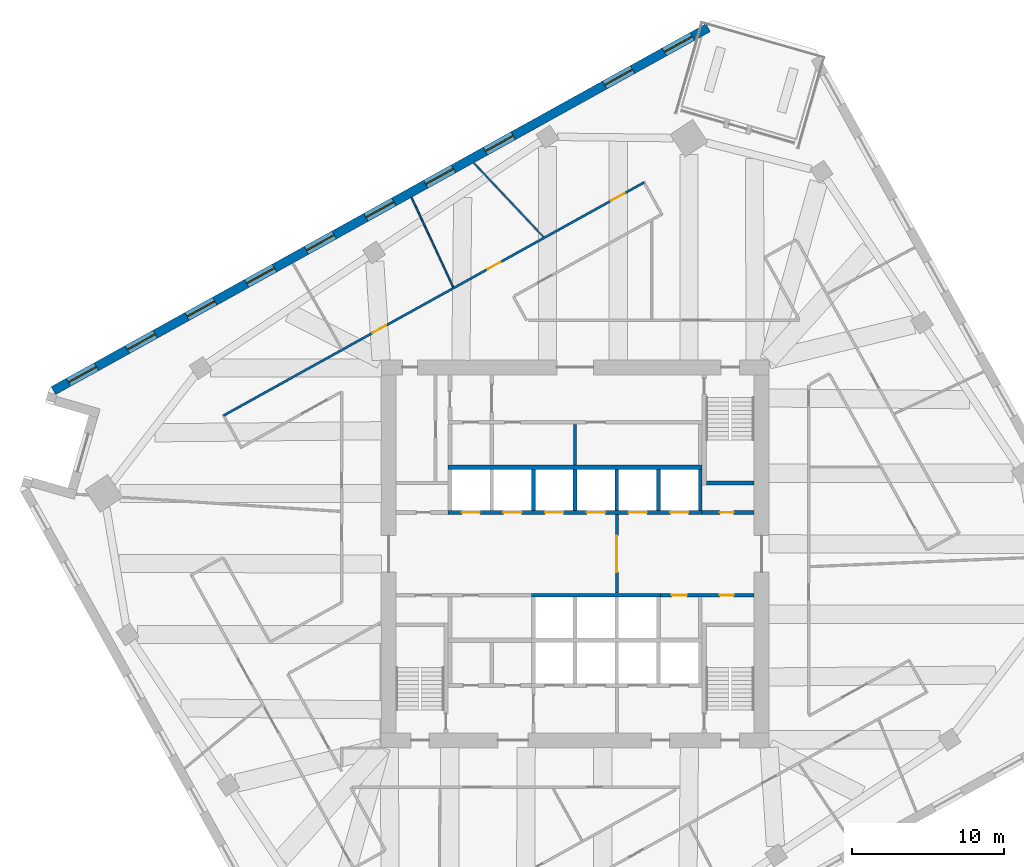
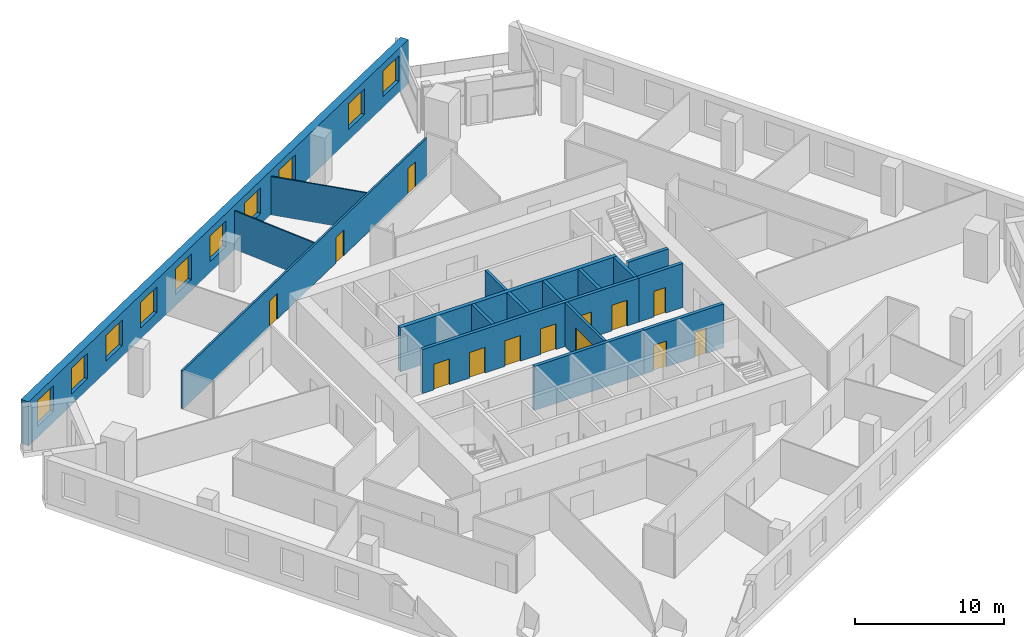
# One storey, part 8 of 12: 17 walls, 13 doors, 10 windows, 23 openings.
"""IFC4 building model written with IfcOpenShell, lengths in metres."""

from ifc_helpers import new_model, si_unit, direction, frame, frame_2d, origin, place, context, subcontext, project, spatial, rectangle, extrude, material, layer, layer_set, type_object, element, fill, save


model = new_model("IFC4")

# Units and contexts
model_context = context("Model", 3, precision=1e-05, world=origin(), true_north=direction((0.0, 1.0)))
body_context = subcontext(model_context, "Body", "Model", "MODEL_VIEW")
ifc_project = project(units=[si_unit("LENGTHUNIT", "METRE"), si_unit("AREAUNIT", "SQUARE_METRE"), si_unit("VOLUMEUNIT", "CUBIC_METRE"), si_unit("PLANEANGLEUNIT", "RADIAN"), si_unit("MASSUNIT", "GRAM", prefix="KILO")], contexts=[model_context])

# Site, building, storey
site_placement = place(None, origin())
site = spatial("IfcSite", under=ifc_project, at=site_placement, CompositionType="ELEMENT")
building_placement = place(site_placement, origin())
building = spatial("IfcBuilding", under=site, at=building_placement, Name="Dilmun Exchange Tower", CompositionType="ELEMENT")
storey_placement = place(building_placement, frame((0.0, 0.0, 143.699951171875)))
storey = spatial("IfcBuildingStorey", under=building, at=storey_placement, Name="L33", CompositionType="ELEMENT", Elevation=143.699951171875)

# Wall, opening, door
ifc_material_1 = material(Name="Concrete C40/50", Category="concrete")
ifc_layer_1 = layer(ifc_material_1, 0.199951171875)
ifc_layer_set_1 = layer_set([ifc_layer_1], Name="Concrete C40/50")
wall_type_1 = type_object("IfcWallType", Name="Core partition wall 200", PredefinedType="PARTITIONING", material=ifc_layer_set_1)
wall_1_placement = place(storey_placement, frame((2.75, -2.594970703125, 0.0), z_axis=(0.0, 0.0, 1.0), x_axis=(0.0, 1.0, 0.0)))
wall_1 = element("IfcWall", 1, at=wall_1_placement, inside=storey, type_object=wall_type_1, Name="L33 core partition wall 11", PredefinedType="PARTITIONING", context=body_context, shape_type="SweptSolid", body=[
    extrude(rectangle(XDim=5.18994140625, YDim=0.199951171875, at=frame_2d((2.594970703125, 0.0))), origin(), (0.0, 0.0, 1.0), 3.60009765625),
])
opening_1_placement = place(wall_1_placement, frame((1.39501953125, 0.0, 0.0)))
opening_1 = element("IfcOpeningElement", 2, at=opening_1_placement, cuts=wall_1, Name="Opening CD1", PredefinedType="OPENING", context=body_context, shape_type="SweptSolid", body=[
    extrude(rectangle(XDim=2.39990234375, YDim=2.39990234375, at=frame_2d((1.199951171875, 1.199951171875))), frame((0.0, 0.10986328125, 0.0), z_axis=(0.0, -1.0, 0.0), x_axis=(1.0, 0.0, 0.0)), (0.0, 0.0, 1.0), 0.219970703125),
])
ifc_material_2 = material(Name="Fire-rated steel door set", Category="steel")
door_type_1 = type_object("IfcDoorType", Name="Core lobby door 2400x2400", OperationType="DOUBLE_DOOR_DOUBLE_SWING", PredefinedType="DOOR", material=ifc_material_2)
door_1_placement = place(opening_1_placement, origin())
door_1 = element("IfcDoor", 3, at=door_1_placement, inside=storey, type_object=door_type_1, Name="L33 door Lift lobby east", OperationType="DOUBLE_DOOR_DOUBLE_SWING", OverallHeight=2.39990234375, OverallWidth=2.39990234375, PredefinedType="DOOR", context=body_context, shape_type="SweptSolid", body=[
    extrude(rectangle(XDim=2.39990234375, YDim=2.39990234375, at=frame_2d((1.199951171875, 1.199951171875))), frame((0.0, 0.02490234375, 0.0), z_axis=(0.0, -1.0, 0.0), x_axis=(1.0, 0.0, 0.0)), (0.0, 0.0, 1.0), 0.050048828125),
])
fill(opening_1, door_1)

# Wall
wall_2_placement = place(storey_placement, frame((0.0, 5.85498046875, 0.0), z_axis=(0.0, 0.0, 1.0), x_axis=(0.0, 1.0, 0.0)))
element("IfcWall", 4, at=wall_2_placement, inside=storey, type_object=wall_type_1, Name="L33 core partition wall 18", PredefinedType="PARTITIONING", context=body_context, shape_type="SweptSolid", body=[
    extrude(rectangle(XDim=2.68994140625, YDim=0.199951171875, at=frame_2d((1.344970703125, 0.0))), origin(), (0.0, 0.0, 1.0), 3.60009765625),
])

# Wall, openings, doors
ifc_layer_2 = layer(ifc_material_1, 0.25)
ifc_layer_set_2 = layer_set([ifc_layer_2], Name="Concrete C40/50")
wall_type_2 = type_object("IfcWallType", Name="Core partition wall 250", PredefinedType="PARTITIONING", material=ifc_layer_set_2)
wall_3_placement = place(storey_placement, frame((5.6298828125, -2.72509765625, 0.0), z_axis=(0.0, 0.0, 1.0), x_axis=(1.0, 0.0, 0.0)))
wall_3 = element("IfcWall", 5, at=wall_3_placement, inside=storey, type_object=wall_type_2, Name="L33 core partition wall 10", PredefinedType="PARTITIONING", context=body_context, shape_type="SweptSolid", body=[
    extrude(rectangle(XDim=6.1650390625, YDim=0.25, at=frame_2d((3.08251953125, 0.0))), origin(), (0.0, 0.0, 1.0), 3.60009765625),
])
opening_2_placement = place(wall_3_placement, frame((0.7451171875, 0.0, 0.0)))
opening_2 = element("IfcOpeningElement", 6, at=opening_2_placement, cuts=wall_3, Name="Opening CD4", PredefinedType="OPENING", context=body_context, shape_type="SweptSolid", body=[
    extrude(rectangle(XDim=1.0, YDim=2.10009765625, at=frame_2d((0.5, 1.050048828125))), frame((0.0, 0.135009765625, 0.0), z_axis=(0.0, -1.0, 0.0), x_axis=(1.0, 0.0, 0.0)), (0.0, 0.0, 1.0), 0.27001953125),
])
opening_3_placement = place(wall_3_placement, frame((3.919921875, 0.0, 0.0)))
opening_3 = element("IfcOpeningElement", 7, at=opening_3_placement, cuts=wall_3, Name="Opening CD6", PredefinedType="OPENING", context=body_context, shape_type="SweptSolid", body=[
    extrude(rectangle(XDim=0.89990234375, YDim=2.10009765625, at=frame_2d((0.449951171875, 1.050048828125))), frame((0.0, 0.135009765625, 0.0), z_axis=(0.0, -1.0, 0.0), x_axis=(1.0, 0.0, 0.0)), (0.0, 0.0, 1.0), 0.27001953125),
])
door_type_2 = type_object("IfcDoorType", Name="Core room door 1000x2100", OperationType="SINGLE_SWING_LEFT", PredefinedType="DOOR", material=ifc_material_2)
door_2_placement = place(opening_2_placement, origin())
door_2 = element("IfcDoor", 8, at=door_2_placement, inside=storey, type_object=door_type_2, Name="L33 door Cleaners' store", OperationType="SINGLE_SWING_RIGHT", OverallHeight=2.10009765625, OverallWidth=1.0, PredefinedType="DOOR", context=body_context, shape_type="SweptSolid", body=[
    extrude(rectangle(XDim=1.0, YDim=2.10009765625, at=frame_2d((0.5, 1.050048828125))), frame((0.0, 0.02490234375, 0.0), z_axis=(0.0, -1.0, 0.0), x_axis=(1.0, 0.0, 0.0)), (0.0, 0.0, 1.0), 0.050048828125),
])
fill(opening_2, door_2)
door_type_3 = type_object("IfcDoorType", Name="Core room door 900x2100", OperationType="SINGLE_SWING_LEFT", PredefinedType="DOOR", material=ifc_material_2)
door_3_placement = place(opening_3_placement, origin())
door_3 = element("IfcDoor", 9, at=door_3_placement, inside=storey, type_object=door_type_3, Name="L33 door Comms riser", OperationType="SINGLE_SWING_RIGHT", OverallHeight=2.10009765625, OverallWidth=0.89990234375, PredefinedType="DOOR", context=body_context, shape_type="SweptSolid", body=[
    extrude(rectangle(XDim=0.89990234375, YDim=2.10009765625, at=frame_2d((0.449951171875, 1.050048828125))), frame((0.0, 0.02490234375, 0.0), z_axis=(0.0, -1.0, 0.0), x_axis=(1.0, 0.0, 0.0)), (0.0, 0.0, 1.0), 0.050048828125),
])
fill(opening_3, door_3)

# Wall, opening, door
wall_4_placement = place(storey_placement, frame((8.3798828125, 2.72509765625, 0.0), z_axis=(0.0, 0.0, 1.0), x_axis=(1.0, 0.0, 0.0)))
wall_4 = element("IfcWall", 10, at=wall_4_placement, inside=storey, type_object=wall_type_2, Name="L33 core partition wall 13", PredefinedType="PARTITIONING", context=body_context, shape_type="SweptSolid", body=[
    extrude(rectangle(XDim=3.4150390625, YDim=0.25, at=frame_2d((1.70751953125, 0.0))), origin(), (0.0, 0.0, 1.0), 3.60009765625),
])
opening_4_placement = place(wall_4_placement, frame((1.169921875, 0.0, 0.0)))
opening_4 = element("IfcOpeningElement", 11, at=opening_4_placement, cuts=wall_4, Name="Opening CD6", PredefinedType="OPENING", context=body_context, shape_type="SweptSolid", body=[
    extrude(rectangle(XDim=0.89990234375, YDim=2.10009765625, at=frame_2d((0.449951171875, 1.050048828125))), frame((0.0, 0.135009765625, 0.0), z_axis=(0.0, -1.0, 0.0), x_axis=(1.0, 0.0, 0.0)), (0.0, 0.0, 1.0), 0.27001953125),
])
door_4_placement = place(opening_4_placement, origin())
door_4 = element("IfcDoor", 12, at=door_4_placement, inside=storey, type_object=door_type_3, Name="L33 door Electrical riser", OperationType="SINGLE_SWING_RIGHT", OverallHeight=2.10009765625, OverallWidth=0.89990234375, PredefinedType="DOOR", context=body_context, shape_type="SweptSolid", body=[
    extrude(rectangle(XDim=0.89990234375, YDim=2.10009765625, at=frame_2d((0.449951171875, 1.050048828125))), frame((0.0, 0.02490234375, 0.0), z_axis=(0.0, -1.0, 0.0), x_axis=(1.0, 0.0, 0.0)), (0.0, 0.0, 1.0), 0.050048828125),
])
fill(opening_4, door_4)

# Wall, openings, doors
ifc_material_3 = material(Name="Corridor wall 150")
ifc_layer_3 = layer(ifc_material_3, 0.14990234375)
ifc_layer_set_3 = layer_set([ifc_layer_3], Name="Corridor wall 150")
wall_type_3 = type_object("IfcWallType", Name="Corridor wall 150", PredefinedType="PARTITIONING", material=ifc_layer_set_3)
wall_5_placement = place(storey_placement, frame((-23.18701171875, 9.123046875, 0.0), z_axis=(0.0, 0.0, 1.0), x_axis=(0.874618419846, 0.484811942578, 0.0)))
wall_5 = element("IfcWall", 13, at=wall_5_placement, inside=storey, type_object=wall_type_3, Name="Corridor wall", PredefinedType="PARTITIONING", context=body_context, shape_type="SweptSolid", body=[
    extrude(rectangle(XDim=31.71337890625, YDim=0.14990234375, at=frame_2d((15.856689453125, 0.0))), origin(), (0.0, 0.0, 1.0), 3.150146484375),
])
opening_5_placement = place(wall_5_placement, frame((11.25244140625, 0.0, 0.0)))
opening_5 = element("IfcOpeningElement", 14, at=opening_5_placement, cuts=wall_5, Name="Opening TF31-D08", PredefinedType="OPENING", context=body_context, shape_type="SweptSolid", body=[
    extrude(rectangle(XDim=1.0, YDim=2.10009765625, at=frame_2d((0.5, 1.050048828125))), frame((0.0, 0.0849609375, 0.0), z_axis=(0.0, -1.0, 0.0), x_axis=(1.0, 0.0, 0.0)), (0.0, 0.0, 1.0), 0.169921875),
])
opening_6_placement = place(wall_5_placement, frame((19.8955078125, 0.0, 0.0)))
opening_6 = element("IfcOpeningElement", 15, at=opening_6_placement, cuts=wall_5, Name="Opening TF31-D09", PredefinedType="OPENING", context=body_context, shape_type="SweptSolid", body=[
    extrude(rectangle(XDim=1.0, YDim=2.10009765625, at=frame_2d((0.5, 1.050048828125))), frame((0.0, 0.0849609375, 0.0), z_axis=(0.0, -1.0, 0.0), x_axis=(1.0, 0.0, 0.0)), (0.0, 0.0, 1.0), 0.169921875),
])
opening_7_placement = place(wall_5_placement, frame((29.222900390625, 0.0, 0.0)))
opening_7 = element("IfcOpeningElement", 16, at=opening_7_placement, cuts=wall_5, Name="Opening TF31-D16", PredefinedType="OPENING", context=body_context, shape_type="SweptSolid", body=[
    extrude(rectangle(XDim=1.0, YDim=2.10009765625, at=frame_2d((0.5, 1.050048828125))), frame((0.0, 0.0849609375, 0.0), z_axis=(0.0, -1.0, 0.0), x_axis=(1.0, 0.0, 0.0)), (0.0, 0.0, 1.0), 0.169921875),
])
ifc_material_4 = material(Name="Fire door 1000 x 2100")
door_type_4 = type_object("IfcDoorType", Name="Fire door 1000 x 2100", OperationType="NOTDEFINED", PredefinedType="DOOR", material=ifc_material_4)
door_5_placement = place(opening_5_placement, origin())
door_5 = element("IfcDoor", 17, at=door_5_placement, inside=storey, type_object=door_type_4, Name="Door TF31-D08", OperationType="SINGLE_SWING_RIGHT", OverallHeight=2.10009765625, OverallWidth=1.0, PredefinedType="DOOR", context=body_context, shape_type="SweptSolid", body=[
    extrude(rectangle(XDim=1.0, YDim=2.10009765625, at=frame_2d((0.5, 1.050048828125))), frame((0.0, 0.02490234375, 0.0), z_axis=(0.0, -1.0, 0.0), x_axis=(1.0, 0.0, 0.0)), (0.0, 0.0, 1.0), 0.050048828125),
])
fill(opening_5, door_5)
door_6_placement = place(opening_6_placement, origin())
door_6 = element("IfcDoor", 18, at=door_6_placement, inside=storey, type_object=door_type_4, Name="Door TF31-D09", OperationType="SINGLE_SWING_LEFT", OverallHeight=2.10009765625, OverallWidth=1.0, PredefinedType="DOOR", context=body_context, shape_type="SweptSolid", body=[
    extrude(rectangle(XDim=1.0, YDim=2.10009765625, at=frame_2d((0.5, 1.050048828125))), frame((0.0, 0.02490234375, 0.0), z_axis=(0.0, -1.0, 0.0), x_axis=(1.0, 0.0, 0.0)), (0.0, 0.0, 1.0), 0.050048828125),
])
fill(opening_6, door_6)
door_7_placement = place(opening_7_placement, origin())
door_7 = element("IfcDoor", 19, at=door_7_placement, inside=storey, type_object=door_type_4, Name="Door TF31-D16", OperationType="SINGLE_SWING_LEFT", OverallHeight=2.10009765625, OverallWidth=1.0, PredefinedType="DOOR", context=body_context, shape_type="SweptSolid", body=[
    extrude(rectangle(XDim=1.0, YDim=2.10009765625, at=frame_2d((0.5, 1.050048828125))), frame((0.0, 0.02490234375, 0.0), z_axis=(0.0, -1.0, 0.0), x_axis=(1.0, 0.0, 0.0)), (0.0, 0.0, 1.0), 0.050048828125),
])
fill(opening_7, door_7)

# Wall
ifc_layer_4 = layer(ifc_material_1, 0.300048828125)
ifc_layer_set_4 = layer_set([ifc_layer_4], Name="Concrete C40/50")
wall_type_4 = type_object("IfcWallType", Name="Lift shaft shared wall 300", PredefinedType="SOLIDWALL", material=ifc_layer_set_4)
wall_6_placement = place(storey_placement, frame((-8.375, 5.699951171875, 0.0), z_axis=(0.0, 0.0, 1.0), x_axis=(1.0, 0.0, 0.0)))
element("IfcWall", 20, at=wall_6_placement, inside=storey, type_object=wall_type_4, Name="L33 lift shaft rear wall N", PredefinedType="SOLIDWALL", context=body_context, shape_type="SweptSolid", body=[
    extrude(rectangle(XDim=16.75, YDim=0.300048828125, at=frame_2d((8.375, 0.0))), origin(), (0.0, 0.0, 1.0), 3.60009765625),
])

# Wall, openings, doors
ifc_layer_5 = layer(ifc_material_1, 0.25)
ifc_layer_set_5 = layer_set([ifc_layer_5], Name="Concrete C40/50")
wall_type_5 = type_object("IfcWallType", Name="Lift shaft wall 250", PredefinedType="SOLIDWALL", material=ifc_layer_set_5)
wall_7_placement = place(storey_placement, frame((-8.375, 2.72509765625, 0.0), z_axis=(0.0, 0.0, 1.0), x_axis=(1.0, 0.0, 0.0)))
wall_7 = element("IfcWall", 21, at=wall_7_placement, inside=storey, type_object=wall_type_5, Name="L33 lift shaft front wall N1", PredefinedType="SOLIDWALL", context=body_context, shape_type="SweptSolid", body=[
    extrude(rectangle(XDim=16.75, YDim=0.25, at=frame_2d((8.375, 0.0))), origin(), (0.0, 0.0, 1.0), 3.60009765625),
])
opening_8_placement = place(wall_7_placement, frame((0.89990234375, 0.0, 0.0)))
opening_8 = element("IfcOpeningElement", 22, at=opening_8_placement, cuts=wall_7, Name="Opening LD", PredefinedType="OPENING", context=body_context, shape_type="SweptSolid", body=[
    extrude(rectangle(XDim=1.199951171875, YDim=2.10009765625, at=frame_2d((0.60009765625, 1.050048828125))), frame((0.0, 0.135009765625, 0.0), z_axis=(0.0, -1.0, 0.0), x_axis=(1.0, 0.0, 0.0)), (0.0, 0.0, 1.0), 0.27001953125),
])
opening_9_placement = place(wall_7_placement, frame((3.64990234375, 0.0, 0.0)))
opening_9 = element("IfcOpeningElement", 23, at=opening_9_placement, cuts=wall_7, Name="Opening LD", PredefinedType="OPENING", context=body_context, shape_type="SweptSolid", body=[
    extrude(rectangle(XDim=1.199951171875, YDim=2.10009765625, at=frame_2d((0.60009765625, 1.050048828125))), frame((0.0, 0.135009765625, 0.0), z_axis=(0.0, -1.0, 0.0), x_axis=(1.0, 0.0, 0.0)), (0.0, 0.0, 1.0), 0.27001953125),
])
opening_10_placement = place(wall_7_placement, frame((6.39990234375, 0.0, 0.0)))
opening_10 = element("IfcOpeningElement", 24, at=opening_10_placement, cuts=wall_7, Name="Opening LD", PredefinedType="OPENING", context=body_context, shape_type="SweptSolid", body=[
    extrude(rectangle(XDim=1.199951171875, YDim=2.10009765625, at=frame_2d((0.60009765625, 1.050048828125))), frame((0.0, 0.135009765625, 0.0), z_axis=(0.0, -1.0, 0.0), x_axis=(1.0, 0.0, 0.0)), (0.0, 0.0, 1.0), 0.27001953125),
])
opening_11_placement = place(wall_7_placement, frame((9.14990234375, 0.0, 0.0)))
opening_11 = element("IfcOpeningElement", 25, at=opening_11_placement, cuts=wall_7, Name="Opening LD", PredefinedType="OPENING", context=body_context, shape_type="SweptSolid", body=[
    extrude(rectangle(XDim=1.199951171875, YDim=2.10009765625, at=frame_2d((0.60009765625, 1.050048828125))), frame((0.0, 0.135009765625, 0.0), z_axis=(0.0, -1.0, 0.0), x_axis=(1.0, 0.0, 0.0)), (0.0, 0.0, 1.0), 0.27001953125),
])
opening_12_placement = place(wall_7_placement, frame((11.89990234375, 0.0, 0.0)))
opening_12 = element("IfcOpeningElement", 26, at=opening_12_placement, cuts=wall_7, Name="Opening LD", PredefinedType="OPENING", context=body_context, shape_type="SweptSolid", body=[
    extrude(rectangle(XDim=1.199951171875, YDim=2.10009765625, at=frame_2d((0.60009765625, 1.050048828125))), frame((0.0, 0.135009765625, 0.0), z_axis=(0.0, -1.0, 0.0), x_axis=(1.0, 0.0, 0.0)), (0.0, 0.0, 1.0), 0.27001953125),
])
opening_13_placement = place(wall_7_placement, frame((14.64990234375, 0.0, 0.0)))
opening_13 = element("IfcOpeningElement", 27, at=opening_13_placement, cuts=wall_7, Name="Opening LD", PredefinedType="OPENING", context=body_context, shape_type="SweptSolid", body=[
    extrude(rectangle(XDim=1.199951171875, YDim=2.10009765625, at=frame_2d((0.60009765625, 1.050048828125))), frame((0.0, 0.135009765625, 0.0), z_axis=(0.0, -1.0, 0.0), x_axis=(1.0, 0.0, 0.0)), (0.0, 0.0, 1.0), 0.27001953125),
])
door_type_5 = type_object("IfcDoorType", Name="Lift landing door 1200x2100", OperationType="DOUBLE_DOOR_SLIDING", PredefinedType="DOOR", material=ifc_material_2)
door_8_placement = place(opening_8_placement, origin())
door_8 = element("IfcDoor", 28, at=door_8_placement, inside=storey, type_object=door_type_5, Name="L33 landing door MR1", OperationType="DOUBLE_DOOR_SLIDING", OverallHeight=2.10009765625, OverallWidth=1.199951171875, PredefinedType="DOOR", context=body_context, shape_type="SweptSolid", body=[
    extrude(rectangle(XDim=1.199951171875, YDim=2.10009765625, at=frame_2d((0.60009765625, 1.050048828125))), frame((0.0, 0.02490234375, 0.0), z_axis=(0.0, -1.0, 0.0), x_axis=(1.0, 0.0, 0.0)), (0.0, 0.0, 1.0), 0.050048828125),
])
fill(opening_8, door_8)
door_9_placement = place(opening_9_placement, origin())
door_9 = element("IfcDoor", 29, at=door_9_placement, inside=storey, type_object=door_type_5, Name="L33 landing door MR2", OperationType="DOUBLE_DOOR_SLIDING", OverallHeight=2.10009765625, OverallWidth=1.199951171875, PredefinedType="DOOR", context=body_context, shape_type="SweptSolid", body=[
    extrude(rectangle(XDim=1.199951171875, YDim=2.10009765625, at=frame_2d((0.60009765625, 1.050048828125))), frame((0.0, 0.02490234375, 0.0), z_axis=(0.0, -1.0, 0.0), x_axis=(1.0, 0.0, 0.0)), (0.0, 0.0, 1.0), 0.050048828125),
])
fill(opening_9, door_9)
door_10_placement = place(opening_10_placement, origin())
door_10 = element("IfcDoor", 30, at=door_10_placement, inside=storey, type_object=door_type_5, Name="L33 landing door MR3", OperationType="DOUBLE_DOOR_SLIDING", OverallHeight=2.10009765625, OverallWidth=1.199951171875, PredefinedType="DOOR", context=body_context, shape_type="SweptSolid", body=[
    extrude(rectangle(XDim=1.199951171875, YDim=2.10009765625, at=frame_2d((0.60009765625, 1.050048828125))), frame((0.0, 0.02490234375, 0.0), z_axis=(0.0, -1.0, 0.0), x_axis=(1.0, 0.0, 0.0)), (0.0, 0.0, 1.0), 0.050048828125),
])
fill(opening_10, door_10)
door_11_placement = place(opening_11_placement, origin())
door_11 = element("IfcDoor", 31, at=door_11_placement, inside=storey, type_object=door_type_5, Name="L33 landing door MR4", OperationType="DOUBLE_DOOR_SLIDING", OverallHeight=2.10009765625, OverallWidth=1.199951171875, PredefinedType="DOOR", context=body_context, shape_type="SweptSolid", body=[
    extrude(rectangle(XDim=1.199951171875, YDim=2.10009765625, at=frame_2d((0.60009765625, 1.050048828125))), frame((0.0, 0.02490234375, 0.0), z_axis=(0.0, -1.0, 0.0), x_axis=(1.0, 0.0, 0.0)), (0.0, 0.0, 1.0), 0.050048828125),
])
fill(opening_11, door_11)
door_12_placement = place(opening_12_placement, origin())
door_12 = element("IfcDoor", 32, at=door_12_placement, inside=storey, type_object=door_type_5, Name="L33 landing door MR5", OperationType="DOUBLE_DOOR_SLIDING", OverallHeight=2.10009765625, OverallWidth=1.199951171875, PredefinedType="DOOR", context=body_context, shape_type="SweptSolid", body=[
    extrude(rectangle(XDim=1.199951171875, YDim=2.10009765625, at=frame_2d((0.60009765625, 1.050048828125))), frame((0.0, 0.02490234375, 0.0), z_axis=(0.0, -1.0, 0.0), x_axis=(1.0, 0.0, 0.0)), (0.0, 0.0, 1.0), 0.050048828125),
])
fill(opening_12, door_12)
door_13_placement = place(opening_13_placement, origin())
door_13 = element("IfcDoor", 33, at=door_13_placement, inside=storey, type_object=door_type_5, Name="L33 landing door MR6", OperationType="DOUBLE_DOOR_SLIDING", OverallHeight=2.10009765625, OverallWidth=1.199951171875, PredefinedType="DOOR", context=body_context, shape_type="SweptSolid", body=[
    extrude(rectangle(XDim=1.199951171875, YDim=2.10009765625, at=frame_2d((0.60009765625, 1.050048828125))), frame((0.0, 0.02490234375, 0.0), z_axis=(0.0, -1.0, 0.0), x_axis=(1.0, 0.0, 0.0)), (0.0, 0.0, 1.0), 0.050048828125),
])
fill(opening_13, door_13)

# Walls
for number, where, z_axis, x_axis, name in (
    (34, (-2.75, 2.85009765625, 0.0), (0.0, 0.0, 1.0), (0.0, 1.0, 0.0), "L33 lift shaft divider N12"),
    (35, (0.0, 2.85009765625, 0.0), (0.0, 0.0, 1.0), (0.0, 1.0, 0.0), "L33 lift shaft divider N13"),
    (36, (2.75, 2.85009765625, 0.0), (0.0, 0.0, 1.0), (0.0, 1.0, 0.0), "L33 lift shaft divider N14"),
    (37, (5.5, 2.85009765625, 0.0), (0.0, 0.0, 1.0), (0.0, 1.0, 0.0), "L33 lift shaft divider N15"),
    (38, (8.25, 2.85009765625, 0.0), (0.0, 0.0, 1.0), (0.0, 1.0, 0.0), "L33 lift shaft divider N16"),
):
    element("IfcWall", number, at=place(storey_placement, frame(where, z_axis=z_axis, x_axis=x_axis)), inside=storey, type_object=wall_type_5, Name=name, PredefinedType="SOLIDWALL", context=body_context, shape_type="SweptSolid", body=[
        extrude(rectangle(XDim=2.699951171875, YDim=0.25, at=frame_2d((1.35009765625, 0.0))), origin(), (0.0, 0.0, 1.0), 3.60009765625),
    ])
wall_8_placement = place(storey_placement, frame((-2.875, -2.72509765625, 0.0), z_axis=(0.0, 0.0, 1.0), x_axis=(1.0, 0.0, 0.0)))
element("IfcWall", 39, at=wall_8_placement, inside=storey, type_object=wall_type_5, Name="L33 lift shaft front wall S1", PredefinedType="SOLIDWALL", context=body_context, shape_type="SweptSolid", body=[
    extrude(rectangle(XDim=8.5, YDim=0.25, at=frame_2d((4.25, 0.0))), origin(), (0.0, 0.0, 1.0), 3.60009765625),
])
ifc_material_5 = material(Name="Partition 100")
ifc_layer_6 = layer(ifc_material_5, 0.10009765625)
ifc_layer_set_6 = layer_set([ifc_layer_6], Name="Partition 100")
wall_type_6 = type_object("IfcWallType", Name="Partition 100", PredefinedType="PARTITIONING", material=ifc_layer_set_6)
wall_9_placement = place(storey_placement, frame((-10.794677734375, 23.5126953125, 0.0), z_axis=(0.0, 0.0, 1.0), x_axis=(0.42134027537, -0.906902625617, 0.0)))
element("IfcWall", 40, at=wall_9_placement, inside=storey, type_object=wall_type_6, Name="Partition", PredefinedType="PARTITIONING", context=body_context, shape_type="SweptSolid", body=[
    extrude(rectangle(XDim=6.515869140625, YDim=0.10009765625, at=frame_2d((3.2578125, 0.0))), origin(), (0.0, 0.0, 1.0), 3.150146484375),
])
wall_10_placement = place(storey_placement, frame((-6.690673828125, 25.78759765625, 0.0), z_axis=(0.0, 0.0, 1.0), x_axis=(0.685723912774, -0.727861741988, 0.0)))
element("IfcWall", 41, at=wall_10_placement, inside=storey, type_object=wall_type_6, Name="Partition", PredefinedType="PARTITIONING", context=body_context, shape_type="SweptSolid", body=[
    extrude(rectangle(XDim=6.69775390625, YDim=0.10009765625, at=frame_2d((3.348876953125, 0.0))), origin(), (0.0, 0.0, 1.0), 3.150146484375),
])

# Wall, openings, windows
ifc_material_6 = material(Name="Precast concrete C50/60", Category="concrete")
ifc_layer_7 = layer(ifc_material_6, 0.60009765625)
ifc_layer_set_7 = layer_set([ifc_layer_7], Name="Precast concrete C50/60")
wall_type_7 = type_object("IfcWallType", Name="Precast stone-clad wall 600", PredefinedType="STANDARD", material=ifc_layer_set_7)
wall_11_placement = place(storey_placement, frame((8.774658203125, 34.705322265625, 0.0), z_axis=(0.0, 0.0, 1.0), x_axis=(-0.874620778241, -0.484807687922, 0.0)))
wall_11 = element("IfcWall", 42, at=wall_11_placement, inside=storey, type_object=wall_type_7, Name="Facade wall L33-03", PredefinedType="STANDARD", context=body_context, shape_type="SweptSolid", body=[
    extrude(rectangle(XDim=49.375732421875, YDim=0.60009765625, at=frame_2d((24.68798828125, 0.0))), origin(), (0.0, 0.0, 1.0), 3.60009765625),
])
opening_14_placement = place(wall_11_placement, frame((1.199951171875, 0.0, 0.89990234375)))
opening_14 = element("IfcOpeningElement", 43, at=opening_14_placement, cuts=wall_11, Name="Opening W210-210", PredefinedType="OPENING", context=body_context, shape_type="SweptSolid", body=[
    extrude(rectangle(XDim=2.10009765625, YDim=2.10009765625, at=frame_2d((1.050048828125, 1.050048828125))), frame((0.0, 0.31005859375, 0.0), z_axis=(0.0, -1.0, 0.0), x_axis=(1.0, 0.0, 0.0)), (0.0, 0.0, 1.0), 0.6201171875),
])
opening_15_placement = place(wall_11_placement, frame((5.699951171875, 0.0, 0.89990234375)))
opening_15 = element("IfcOpeningElement", 44, at=opening_15_placement, cuts=wall_11, Name="Opening W210-210", PredefinedType="OPENING", context=body_context, shape_type="SweptSolid", body=[
    extrude(rectangle(XDim=2.10009765625, YDim=2.10009765625, at=frame_2d((1.050048828125, 1.050048828125))), frame((0.0, 0.31005859375, 0.0), z_axis=(0.0, -1.0, 0.0), x_axis=(1.0, 0.0, 0.0)), (0.0, 0.0, 1.0), 0.6201171875),
])
opening_16_placement = place(wall_11_placement, frame((14.699951171875, 0.0, 0.89990234375)))
opening_16 = element("IfcOpeningElement", 45, at=opening_16_placement, cuts=wall_11, Name="Opening W210-210", PredefinedType="OPENING", context=body_context, shape_type="SweptSolid", body=[
    extrude(rectangle(XDim=2.10009765625, YDim=2.10009765625, at=frame_2d((1.050048828125, 1.050048828125))), frame((0.0, 0.31005859375, 0.0), z_axis=(0.0, -1.0, 0.0), x_axis=(1.0, 0.0, 0.0)), (0.0, 0.0, 1.0), 0.6201171875),
])
opening_17_placement = place(wall_11_placement, frame((19.199951171875, 0.0, 0.89990234375)))
opening_17 = element("IfcOpeningElement", 46, at=opening_17_placement, cuts=wall_11, Name="Opening W210-210", PredefinedType="OPENING", context=body_context, shape_type="SweptSolid", body=[
    extrude(rectangle(XDim=2.10009765625, YDim=2.10009765625, at=frame_2d((1.050048828125, 1.050048828125))), frame((0.0, 0.31005859375, 0.0), z_axis=(0.0, -1.0, 0.0), x_axis=(1.0, 0.0, 0.0)), (0.0, 0.0, 1.0), 0.6201171875),
])
opening_18_placement = place(wall_11_placement, frame((23.699951171875, 0.0, 0.89990234375)))
opening_18 = element("IfcOpeningElement", 47, at=opening_18_placement, cuts=wall_11, Name="Opening W210-210", PredefinedType="OPENING", context=body_context, shape_type="SweptSolid", body=[
    extrude(rectangle(XDim=2.10009765625, YDim=2.10009765625, at=frame_2d((1.050048828125, 1.050048828125))), frame((0.0, 0.31005859375, 0.0), z_axis=(0.0, -1.0, 0.0), x_axis=(1.0, 0.0, 0.0)), (0.0, 0.0, 1.0), 0.6201171875),
])
opening_19_placement = place(wall_11_placement, frame((28.199951171875, 0.0, 0.89990234375)))
opening_19 = element("IfcOpeningElement", 48, at=opening_19_placement, cuts=wall_11, Name="Opening W210-210", PredefinedType="OPENING", context=body_context, shape_type="SweptSolid", body=[
    extrude(rectangle(XDim=2.10009765625, YDim=2.10009765625, at=frame_2d((1.050048828125, 1.050048828125))), frame((0.0, 0.31005859375, 0.0), z_axis=(0.0, -1.0, 0.0), x_axis=(1.0, 0.0, 0.0)), (0.0, 0.0, 1.0), 0.6201171875),
])
opening_20_placement = place(wall_11_placement, frame((32.699951171875, 0.0, 0.89990234375)))
opening_20 = element("IfcOpeningElement", 49, at=opening_20_placement, cuts=wall_11, Name="Opening W210-210", PredefinedType="OPENING", context=body_context, shape_type="SweptSolid", body=[
    extrude(rectangle(XDim=2.10009765625, YDim=2.10009765625, at=frame_2d((1.050048828125, 1.050048828125))), frame((0.0, 0.31005859375, 0.0), z_axis=(0.0, -1.0, 0.0), x_axis=(1.0, 0.0, 0.0)), (0.0, 0.0, 1.0), 0.6201171875),
])
opening_21_placement = place(wall_11_placement, frame((37.199951171875, 0.0, 0.89990234375)))
opening_21 = element("IfcOpeningElement", 50, at=opening_21_placement, cuts=wall_11, Name="Opening W210-210", PredefinedType="OPENING", context=body_context, shape_type="SweptSolid", body=[
    extrude(rectangle(XDim=2.10009765625, YDim=2.10009765625, at=frame_2d((1.050048828125, 1.050048828125))), frame((0.0, 0.31005859375, 0.0), z_axis=(0.0, -1.0, 0.0), x_axis=(1.0, 0.0, 0.0)), (0.0, 0.0, 1.0), 0.6201171875),
])
opening_22_placement = place(wall_11_placement, frame((41.699951171875, 0.0, 0.89990234375)))
opening_22 = element("IfcOpeningElement", 51, at=opening_22_placement, cuts=wall_11, Name="Opening W210-210", PredefinedType="OPENING", context=body_context, shape_type="SweptSolid", body=[
    extrude(rectangle(XDim=2.10009765625, YDim=2.10009765625, at=frame_2d((1.050048828125, 1.050048828125))), frame((0.0, 0.31005859375, 0.0), z_axis=(0.0, -1.0, 0.0), x_axis=(1.0, 0.0, 0.0)), (0.0, 0.0, 1.0), 0.6201171875),
])
opening_23_placement = place(wall_11_placement, frame((46.137939453125, 0.0, 0.89990234375)))
opening_23 = element("IfcOpeningElement", 52, at=opening_23_placement, cuts=wall_11, Name="Opening W210-210", PredefinedType="OPENING", context=body_context, shape_type="SweptSolid", body=[
    extrude(rectangle(XDim=2.10009765625, YDim=2.10009765625, at=frame_2d((1.050048828125, 1.050048828125))), frame((0.0, 0.31005859375, 0.0), z_axis=(0.0, -1.0, 0.0), x_axis=(1.0, 0.0, 0.0)), (0.0, 0.0, 1.0), 0.6201171875),
])
ifc_material_7 = material(Name="Clear low-emissivity glass in aluminium frame", Category="aluminium")
window_type = type_object("IfcWindowType", Name="Punched window 2100 x 2100", PartitioningType="DOUBLE_PANEL_VERTICAL", PredefinedType="WINDOW", material=ifc_material_7)
window_1_placement = place(opening_14_placement, origin())
window_1 = element("IfcWindow", 53, at=window_1_placement, inside=storey, type_object=window_type, Name="Window 4.1", OverallHeight=2.10009765625, OverallWidth=2.10009765625, PartitioningType="SINGLE_PANEL", PredefinedType="WINDOW", context=body_context, shape_type="SweptSolid", body=[
    extrude(rectangle(XDim=2.10009765625, YDim=2.10009765625, at=frame_2d((1.050048828125, 1.050048828125))), frame((0.0, 0.030029296875, 0.0), z_axis=(0.0, -1.0, 0.0), x_axis=(1.0, 0.0, 0.0)), (0.0, 0.0, 1.0), 0.06005859375),
])
fill(opening_14, window_1)
window_2_placement = place(opening_15_placement, origin())
window_2 = element("IfcWindow", 54, at=window_2_placement, inside=storey, type_object=window_type, Name="Window 4.2", OverallHeight=2.10009765625, OverallWidth=2.10009765625, PartitioningType="SINGLE_PANEL", PredefinedType="WINDOW", context=body_context, shape_type="SweptSolid", body=[
    extrude(rectangle(XDim=2.10009765625, YDim=2.10009765625, at=frame_2d((1.050048828125, 1.050048828125))), frame((0.0, 0.030029296875, 0.0), z_axis=(0.0, -1.0, 0.0), x_axis=(1.0, 0.0, 0.0)), (0.0, 0.0, 1.0), 0.06005859375),
])
fill(opening_15, window_2)
window_3_placement = place(opening_16_placement, origin())
window_3 = element("IfcWindow", 55, at=window_3_placement, inside=storey, type_object=window_type, Name="Window 4.4", OverallHeight=2.10009765625, OverallWidth=2.10009765625, PartitioningType="SINGLE_PANEL", PredefinedType="WINDOW", context=body_context, shape_type="SweptSolid", body=[
    extrude(rectangle(XDim=2.10009765625, YDim=2.10009765625, at=frame_2d((1.050048828125, 1.050048828125))), frame((0.0, 0.030029296875, 0.0), z_axis=(0.0, -1.0, 0.0), x_axis=(1.0, 0.0, 0.0)), (0.0, 0.0, 1.0), 0.06005859375),
])
fill(opening_16, window_3)
window_4_placement = place(opening_17_placement, origin())
window_4 = element("IfcWindow", 56, at=window_4_placement, inside=storey, type_object=window_type, Name="Window 4.5", OverallHeight=2.10009765625, OverallWidth=2.10009765625, PartitioningType="SINGLE_PANEL", PredefinedType="WINDOW", context=body_context, shape_type="SweptSolid", body=[
    extrude(rectangle(XDim=2.10009765625, YDim=2.10009765625, at=frame_2d((1.050048828125, 1.050048828125))), frame((0.0, 0.030029296875, 0.0), z_axis=(0.0, -1.0, 0.0), x_axis=(1.0, 0.0, 0.0)), (0.0, 0.0, 1.0), 0.06005859375),
])
fill(opening_17, window_4)
window_5_placement = place(opening_18_placement, origin())
window_5 = element("IfcWindow", 57, at=window_5_placement, inside=storey, type_object=window_type, Name="Window 4.6", OverallHeight=2.10009765625, OverallWidth=2.10009765625, PartitioningType="SINGLE_PANEL", PredefinedType="WINDOW", context=body_context, shape_type="SweptSolid", body=[
    extrude(rectangle(XDim=2.10009765625, YDim=2.10009765625, at=frame_2d((1.050048828125, 1.050048828125))), frame((0.0, 0.030029296875, 0.0), z_axis=(0.0, -1.0, 0.0), x_axis=(1.0, 0.0, 0.0)), (0.0, 0.0, 1.0), 0.06005859375),
])
fill(opening_18, window_5)
window_6_placement = place(opening_19_placement, origin())
window_6 = element("IfcWindow", 58, at=window_6_placement, inside=storey, type_object=window_type, Name="Window 4.7", OverallHeight=2.10009765625, OverallWidth=2.10009765625, PartitioningType="SINGLE_PANEL", PredefinedType="WINDOW", context=body_context, shape_type="SweptSolid", body=[
    extrude(rectangle(XDim=2.10009765625, YDim=2.10009765625, at=frame_2d((1.050048828125, 1.050048828125))), frame((0.0, 0.030029296875, 0.0), z_axis=(0.0, -1.0, 0.0), x_axis=(1.0, 0.0, 0.0)), (0.0, 0.0, 1.0), 0.06005859375),
])
fill(opening_19, window_6)
window_7_placement = place(opening_20_placement, origin())
window_7 = element("IfcWindow", 59, at=window_7_placement, inside=storey, type_object=window_type, Name="Window 4.8", OverallHeight=2.10009765625, OverallWidth=2.10009765625, PartitioningType="SINGLE_PANEL", PredefinedType="WINDOW", context=body_context, shape_type="SweptSolid", body=[
    extrude(rectangle(XDim=2.10009765625, YDim=2.10009765625, at=frame_2d((1.050048828125, 1.050048828125))), frame((0.0, 0.030029296875, 0.0), z_axis=(0.0, -1.0, 0.0), x_axis=(1.0, 0.0, 0.0)), (0.0, 0.0, 1.0), 0.06005859375),
])
fill(opening_20, window_7)
window_8_placement = place(opening_21_placement, origin())
window_8 = element("IfcWindow", 60, at=window_8_placement, inside=storey, type_object=window_type, Name="Window 4.9", OverallHeight=2.10009765625, OverallWidth=2.10009765625, PartitioningType="SINGLE_PANEL", PredefinedType="WINDOW", context=body_context, shape_type="SweptSolid", body=[
    extrude(rectangle(XDim=2.10009765625, YDim=2.10009765625, at=frame_2d((1.050048828125, 1.050048828125))), frame((0.0, 0.030029296875, 0.0), z_axis=(0.0, -1.0, 0.0), x_axis=(1.0, 0.0, 0.0)), (0.0, 0.0, 1.0), 0.06005859375),
])
fill(opening_21, window_8)
window_9_placement = place(opening_22_placement, origin())
window_9 = element("IfcWindow", 61, at=window_9_placement, inside=storey, type_object=window_type, Name="Window 4.10", OverallHeight=2.10009765625, OverallWidth=2.10009765625, PartitioningType="SINGLE_PANEL", PredefinedType="WINDOW", context=body_context, shape_type="SweptSolid", body=[
    extrude(rectangle(XDim=2.10009765625, YDim=2.10009765625, at=frame_2d((1.050048828125, 1.050048828125))), frame((0.0, 0.030029296875, 0.0), z_axis=(0.0, -1.0, 0.0), x_axis=(1.0, 0.0, 0.0)), (0.0, 0.0, 1.0), 0.06005859375),
])
fill(opening_22, window_9)
window_10_placement = place(opening_23_placement, origin())
window_10 = element("IfcWindow", 62, at=window_10_placement, inside=storey, type_object=window_type, Name="Window 4.11", OverallHeight=2.10009765625, OverallWidth=2.10009765625, PartitioningType="SINGLE_PANEL", PredefinedType="WINDOW", context=body_context, shape_type="SweptSolid", body=[
    extrude(rectangle(XDim=2.10009765625, YDim=2.10009765625, at=frame_2d((1.050048828125, 1.050048828125))), frame((0.0, 0.030029296875, 0.0), z_axis=(0.0, -1.0, 0.0), x_axis=(1.0, 0.0, 0.0)), (0.0, 0.0, 1.0), 0.06005859375),
])
fill(opening_23, window_10)

# Wall
ifc_layer_8 = layer(ifc_material_1, 0.25)
ifc_layer_set_8 = layer_set([ifc_layer_8], Name="Concrete C40/50")
wall_type_8 = type_object("IfcWallType", Name="Stair end wall 250", PredefinedType="SOLIDWALL", material=ifc_layer_set_8)
wall_12_placement = place(storey_placement, frame((8.64990234375, 4.675048828125, 0.0), z_axis=(0.0, 0.0, 1.0), x_axis=(1.0, 0.0, 0.0)))
element("IfcWall", 63, at=wall_12_placement, inside=storey, type_object=wall_type_8, Name="L33 ST1 far wall", PredefinedType="SOLIDWALL", context=body_context, shape_type="SweptSolid", body=[
    extrude(rectangle(XDim=3.150146484375, YDim=0.25, at=frame_2d((1.5751953125, 0.0))), origin(), (0.0, 0.0, 1.0), 3.60009765625),
])

save(model, "model.ifc")
